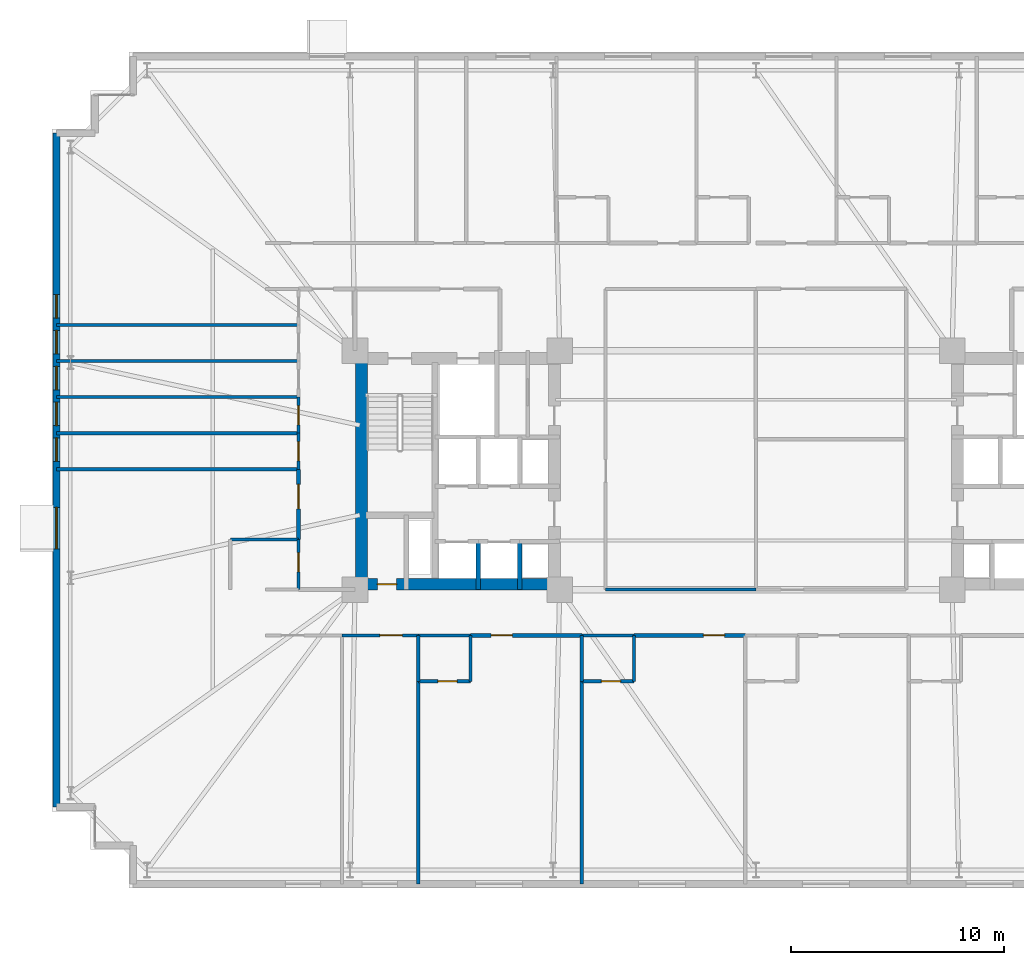
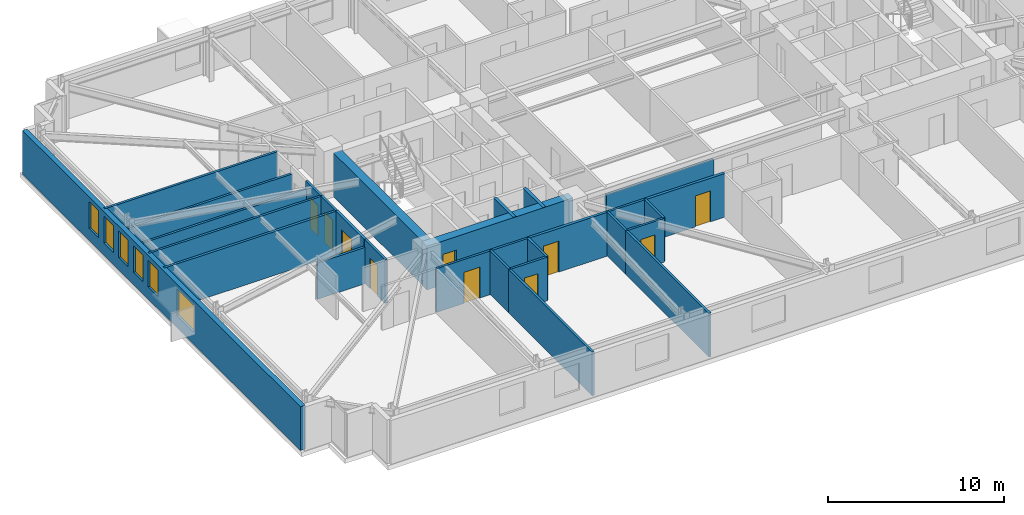
# One storey, part 14 of 21: 29 walls, 10 doors, 6 windows, 16 openings.
"""IFC4 building model written with IfcOpenShell, lengths in metres."""

from ifc_helpers import new_model, si_unit, direction, frame, frame_2d, origin, place, context, subcontext, project, spatial, rectangle, extrude, material, layer, layer_set, type_object, element, fill, save


model = new_model("IFC4")

# Units and contexts
model_context = context("Model", 3, precision=1e-05, world=origin(), true_north=direction((0.0, 1.0)))
body_context = subcontext(model_context, "Body", "Model", "MODEL_VIEW")
ifc_project = project(units=[si_unit("LENGTHUNIT", "METRE"), si_unit("AREAUNIT", "SQUARE_METRE"), si_unit("VOLUMEUNIT", "CUBIC_METRE"), si_unit("PLANEANGLEUNIT", "RADIAN"), si_unit("MASSUNIT", "GRAM", prefix="KILO")], contexts=[model_context])

# Site, building, storey
site_placement = place(None, origin())
site = spatial("IfcSite", under=ifc_project, at=site_placement, CompositionType="ELEMENT")
building_placement = place(site_placement, origin())
building = spatial("IfcBuilding", under=site, at=building_placement, Name="Qobustan Lattice House", CompositionType="ELEMENT")
storey_placement = place(building_placement, frame((0.0, 0.0, 30.35009765625)))
storey = spatial("IfcBuildingStorey", under=building, at=storey_placement, Name="L07", CompositionType="ELEMENT", Elevation=30.35009765625)

# Wall, opening, door
ifc_material_1 = material(Name="Concrete C60/75", Category="concrete")
ifc_layer_1 = layer(ifc_material_1, 0.56005859375)
ifc_layer_set_1 = layer_set([ifc_layer_1], Name="Concrete C60/75")
wall_type_1 = type_object("IfcWallType", Name="WAL-CORE-600", PredefinedType="SHEAR", material=ifc_layer_set_1)
wall_1_placement = place(storey_placement, frame((-18.800048828125, -5.35009765625, 0.0), z_axis=(0.0, 0.0, 1.0), x_axis=(1.0, 0.0, 0.0)))
wall_1 = element("IfcWall", 1, at=wall_1_placement, inside=storey, type_object=wall_type_1, Name="L07 split-core shear wall CW-S", PredefinedType="SHEAR", context=body_context, shape_type="SweptSolid", body=[
    extrude(rectangle(XDim=9.60009765625, YDim=0.56005859375, at=frame_2d((4.800048828125, 0.0))), origin(), (0.0, 0.0, 1.0), 3.034912109375),
])
opening_1_placement = place(wall_1_placement, frame((1.050048828125, 0.0, 0.0)))
opening_1 = element("IfcOpeningElement", 2, at=opening_1_placement, cuts=wall_1, Name="Opening RD-01", PredefinedType="OPENING", context=body_context, shape_type="SweptSolid", body=[
    extrude(rectangle(XDim=0.89990234375, YDim=2.10009765625, at=frame_2d((0.449951171875, 1.050048828125))), frame((0.0, 0.2900390625, 0.0), z_axis=(0.0, -1.0, 0.0), x_axis=(1.0, 0.0, 0.0)), (0.0, 0.0, 1.0), 0.580078125),
])
ifc_material_2 = material(Name="Persian walnut timber and steel frame door", Category="steel")
door_type_1 = type_object("IfcDoorType", Name="DOR-RISER-FD-900x2100", OperationType="NOTDEFINED", PredefinedType="DOOR", material=ifc_material_2)
door_1_placement = place(opening_1_placement, origin())
door_1 = element("IfcDoor", 3, at=door_1_placement, inside=storey, type_object=door_type_1, Name="L07 core service riser access door W", OperationType="SINGLE_SWING_RIGHT", OverallHeight=2.10009765625, OverallWidth=0.89990234375, PredefinedType="DOOR", context=body_context, shape_type="SweptSolid", body=[
    extrude(rectangle(XDim=0.89990234375, YDim=2.10009765625, at=frame_2d((0.449951171875, 1.050048828125))), frame((0.0, 0.02490234375, 0.0), z_axis=(0.0, -1.0, 0.0), x_axis=(1.0, 0.0, 0.0)), (0.0, 0.0, 1.0), 0.050048828125),
])
fill(opening_1, door_1)

# Wall
wall_2_placement = place(storey_placement, frame((-18.489990234375, -5.050048828125, 0.0), z_axis=(0.0, 0.0, 1.0), x_axis=(0.0, 1.0, 0.0)))
element("IfcWall", 4, at=wall_2_placement, inside=storey, type_object=wall_type_1, Name="L07 split-core shear wall CW-W", PredefinedType="SHEAR", context=body_context, shape_type="SweptSolid", body=[
    extrude(rectangle(XDim=10.10009765625, YDim=0.56005859375, at=frame_2d((5.050048828125, 0.0))), origin(), (0.0, 0.0, 1.0), 3.034912109375),
])

# Wall, openings, windows
ifc_material_3 = material(Name="Precast concrete C40/50", Category="concrete")
ifc_layer_2 = layer(ifc_material_3, 0.320068359375)
ifc_layer_set_2 = layer_set([ifc_layer_2], Name="Precast concrete C40/50")
wall_type_2 = type_object("IfcWallType", Name="WAL-EXT-STONE-320", PredefinedType="SOLIDWALL", material=ifc_layer_set_2)
wall_3_placement = place(storey_placement, frame((-32.800048828125, -15.800048828125, 0.0), z_axis=(0.0, 0.0, 1.0), x_axis=(0.0, 1.0, 0.0)))
wall_3 = element("IfcWall", 5, at=wall_3_placement, inside=storey, type_object=wall_type_2, Name="L07 exterior limestone-clad wall 5", PredefinedType="SOLIDWALL", context=body_context, shape_type="SweptSolid", body=[
    extrude(rectangle(XDim=31.60009765625, YDim=0.320068359375, at=frame_2d((15.800048828125, 0.0))), origin(), (0.0, 0.0, 1.0), 3.034912109375),
])
opening_2_placement = place(wall_3_placement, frame((12.10498046875, 0.0, 0.85009765625)))
opening_2 = element("IfcOpeningElement", 6, at=opening_2_placement, cuts=wall_3, Name="Opening WN-08", PredefinedType="OPENING", context=body_context, shape_type="SweptSolid", body=[
    extrude(rectangle(XDim=1.949951171875, YDim=1.85009765625, at=frame_2d((0.97509765625, 0.925048828125))), frame((0.0, 0.169921875, 0.0), z_axis=(0.0, -1.0, 0.0), x_axis=(1.0, 0.0, 0.0)), (0.0, 0.0, 1.0), 0.340087890625),
])
opening_3_placement = place(wall_3_placement, frame((16.2099609375, 0.0, 0.85009765625)))
opening_3 = element("IfcOpeningElement", 7, at=opening_3_placement, cuts=wall_3, Name="Opening WN-04", PredefinedType="OPENING", context=body_context, shape_type="SweptSolid", body=[
    extrude(rectangle(XDim=1.10009765625, YDim=1.85009765625, at=frame_2d((0.550048828125, 0.925048828125))), frame((0.0, 0.169921875, 0.0), z_axis=(0.0, -1.0, 0.0), x_axis=(1.0, 0.0, 0.0)), (0.0, 0.0, 1.0), 0.340087890625),
])
opening_4_placement = place(wall_3_placement, frame((17.889892578125, 0.0, 0.85009765625)))
opening_4 = element("IfcOpeningElement", 8, at=opening_4_placement, cuts=wall_3, Name="Opening WN-04", PredefinedType="OPENING", context=body_context, shape_type="SweptSolid", body=[
    extrude(rectangle(XDim=1.10009765625, YDim=1.85009765625, at=frame_2d((0.550048828125, 0.925048828125))), frame((0.0, 0.169921875, 0.0), z_axis=(0.0, -1.0, 0.0), x_axis=(1.0, 0.0, 0.0)), (0.0, 0.0, 1.0), 0.340087890625),
])
opening_5_placement = place(wall_3_placement, frame((19.570068359375, 0.0, 0.85009765625)))
opening_5 = element("IfcOpeningElement", 9, at=opening_5_placement, cuts=wall_3, Name="Opening WN-04", PredefinedType="OPENING", context=body_context, shape_type="SweptSolid", body=[
    extrude(rectangle(XDim=1.10009765625, YDim=1.85009765625, at=frame_2d((0.550048828125, 0.925048828125))), frame((0.0, 0.169921875, 0.0), z_axis=(0.0, -1.0, 0.0), x_axis=(1.0, 0.0, 0.0)), (0.0, 0.0, 1.0), 0.340087890625),
])
opening_6_placement = place(wall_3_placement, frame((21.25, 0.0, 0.85009765625)))
opening_6 = element("IfcOpeningElement", 10, at=opening_6_placement, cuts=wall_3, Name="Opening WN-04", PredefinedType="OPENING", context=body_context, shape_type="SweptSolid", body=[
    extrude(rectangle(XDim=1.10009765625, YDim=1.85009765625, at=frame_2d((0.550048828125, 0.925048828125))), frame((0.0, 0.169921875, 0.0), z_axis=(0.0, -1.0, 0.0), x_axis=(1.0, 0.0, 0.0)), (0.0, 0.0, 1.0), 0.340087890625),
])
opening_7_placement = place(wall_3_placement, frame((22.929931640625, 0.0, 0.85009765625)))
opening_7 = element("IfcOpeningElement", 11, at=opening_7_placement, cuts=wall_3, Name="Opening WN-04", PredefinedType="OPENING", context=body_context, shape_type="SweptSolid", body=[
    extrude(rectangle(XDim=1.10009765625, YDim=1.85009765625, at=frame_2d((0.550048828125, 0.925048828125))), frame((0.0, 0.169921875, 0.0), z_axis=(0.0, -1.0, 0.0), x_axis=(1.0, 0.0, 0.0)), (0.0, 0.0, 1.0), 0.340087890625),
])
ifc_material_4 = material(Name="Double-glazed low-E aluminium window", Category="aluminium")
window_type_1 = type_object("IfcWindowType", Name="WIN-KIT-1950x1850", PartitioningType="SINGLE_PANEL", PredefinedType="WINDOW", material=ifc_material_4)
window_1_placement = place(opening_2_placement, origin())
window_1 = element("IfcWindow", 12, at=window_1_placement, inside=storey, type_object=window_type_1, Name="L07 Shared kitchen L07W window", OverallHeight=1.85009765625, OverallWidth=1.949951171875, PartitioningType="SINGLE_PANEL", PredefinedType="WINDOW", context=body_context, shape_type="SweptSolid", body=[
    extrude(rectangle(XDim=1.949951171875, YDim=1.85009765625, at=frame_2d((0.97509765625, 0.925048828125))), frame((0.0, 0.030029296875, 0.0), z_axis=(0.0, -1.0, 0.0), x_axis=(1.0, 0.0, 0.0)), (0.0, 0.0, 1.0), 0.06005859375),
])
fill(opening_2, window_1)
ifc_material_5 = material(Name="Double-glazed low-E aluminium window", Category="aluminium")
window_type_2 = type_object("IfcWindowType", Name="WIN-NAR-1100x1850", PartitioningType="SINGLE_PANEL", PredefinedType="WINDOW", material=ifc_material_5)
window_2_placement = place(opening_3_placement, origin())
window_2 = element("IfcWindow", 13, at=window_2_placement, inside=storey, type_object=window_type_2, Name="L07 Cluster bedroom L07W1 window", OverallHeight=1.85009765625, OverallWidth=1.10009765625, PartitioningType="SINGLE_PANEL", PredefinedType="WINDOW", context=body_context, shape_type="SweptSolid", body=[
    extrude(rectangle(XDim=1.10009765625, YDim=1.85009765625, at=frame_2d((0.550048828125, 0.925048828125))), frame((0.0, 0.030029296875, 0.0), z_axis=(0.0, -1.0, 0.0), x_axis=(1.0, 0.0, 0.0)), (0.0, 0.0, 1.0), 0.06005859375),
])
fill(opening_3, window_2)
window_3_placement = place(opening_4_placement, origin())
window_3 = element("IfcWindow", 14, at=window_3_placement, inside=storey, type_object=window_type_2, Name="L07 Cluster bedroom L07W2 window", OverallHeight=1.85009765625, OverallWidth=1.10009765625, PartitioningType="SINGLE_PANEL", PredefinedType="WINDOW", context=body_context, shape_type="SweptSolid", body=[
    extrude(rectangle(XDim=1.10009765625, YDim=1.85009765625, at=frame_2d((0.550048828125, 0.925048828125))), frame((0.0, 0.030029296875, 0.0), z_axis=(0.0, -1.0, 0.0), x_axis=(1.0, 0.0, 0.0)), (0.0, 0.0, 1.0), 0.06005859375),
])
fill(opening_4, window_3)
window_4_placement = place(opening_5_placement, origin())
window_4 = element("IfcWindow", 15, at=window_4_placement, inside=storey, type_object=window_type_2, Name="L07 Cluster bedroom L07W3 window", OverallHeight=1.85009765625, OverallWidth=1.10009765625, PartitioningType="SINGLE_PANEL", PredefinedType="WINDOW", context=body_context, shape_type="SweptSolid", body=[
    extrude(rectangle(XDim=1.10009765625, YDim=1.85009765625, at=frame_2d((0.550048828125, 0.925048828125))), frame((0.0, 0.030029296875, 0.0), z_axis=(0.0, -1.0, 0.0), x_axis=(1.0, 0.0, 0.0)), (0.0, 0.0, 1.0), 0.06005859375),
])
fill(opening_5, window_4)
window_5_placement = place(opening_6_placement, origin())
window_5 = element("IfcWindow", 16, at=window_5_placement, inside=storey, type_object=window_type_2, Name="L07 Cluster bedroom L07W4 window", OverallHeight=1.85009765625, OverallWidth=1.10009765625, PartitioningType="SINGLE_PANEL", PredefinedType="WINDOW", context=body_context, shape_type="SweptSolid", body=[
    extrude(rectangle(XDim=1.10009765625, YDim=1.85009765625, at=frame_2d((0.550048828125, 0.925048828125))), frame((0.0, 0.030029296875, 0.0), z_axis=(0.0, -1.0, 0.0), x_axis=(1.0, 0.0, 0.0)), (0.0, 0.0, 1.0), 0.06005859375),
])
fill(opening_6, window_5)
window_6_placement = place(opening_7_placement, origin())
window_6 = element("IfcWindow", 17, at=window_6_placement, inside=storey, type_object=window_type_2, Name="L07 Cluster bedroom L07W5 window", OverallHeight=1.85009765625, OverallWidth=1.10009765625, PartitioningType="SINGLE_PANEL", PredefinedType="WINDOW", context=body_context, shape_type="SweptSolid", body=[
    extrude(rectangle(XDim=1.10009765625, YDim=1.85009765625, at=frame_2d((0.550048828125, 0.925048828125))), frame((0.0, 0.030029296875, 0.0), z_axis=(0.0, -1.0, 0.0), x_axis=(1.0, 0.0, 0.0)), (0.0, 0.0, 1.0), 0.06005859375),
])
fill(opening_7, window_6)

# Wall, opening, door
ifc_material_6 = material(Name="Gypsum fireboard acoustic partition", Category="gypsum")
ifc_layer_3 = layer(ifc_material_6, 0.179931640625)
ifc_layer_set_3 = layer_set([ifc_layer_3], Name="Gypsum fireboard acoustic partition")
wall_type_3 = type_object("IfcWallType", Name="WAL-FIRE-180", PredefinedType="PARTITIONING", material=ifc_layer_set_3)
wall_4_placement = place(storey_placement, frame((-8.1669921875, -7.75, 0.0), z_axis=(0.0, 0.0, 1.0), x_axis=(-1.0, 0.0, 0.0)))
wall_4 = element("IfcWall", 18, at=wall_4_placement, inside=storey, type_object=wall_type_3, Name="L07 interior partition 60", PredefinedType="PARTITIONING", context=body_context, shape_type="SweptSolid", body=[
    extrude(rectangle(XDim=5.216064453125, YDim=0.179931640625, at=frame_2d((2.60791015625, 0.0))), origin(), (0.0, 0.0, 1.0), 3.034912109375),
])
opening_8_placement = place(wall_4_placement, frame((3.25390625, 0.0, 0.0)))
opening_8 = element("IfcOpeningElement", 19, at=opening_8_placement, cuts=wall_4, Name="Opening FD-02", PredefinedType="OPENING", context=body_context, shape_type="SweptSolid", body=[
    extrude(rectangle(XDim=1.0, YDim=2.14990234375, at=frame_2d((0.5, 1.074951171875))), frame((0.0, 0.099853515625, 0.0), z_axis=(0.0, -1.0, 0.0), x_axis=(1.0, 0.0, 0.0)), (0.0, 0.0, 1.0), 0.199951171875),
])
ifc_material_7 = material(Name="Persian walnut timber and steel frame door", Category="steel")
door_type_2 = type_object("IfcDoorType", Name="DOR-UNIT-FD-1000x2150", OperationType="NOTDEFINED", PredefinedType="DOOR", material=ifc_material_7)
door_2_placement = place(opening_8_placement, origin())
door_2 = element("IfcDoor", 20, at=door_2_placement, inside=storey, type_object=door_type_2, Name="L07 South-west floor corridor to Kitchenette and studio apartment L07-S2 door", OperationType="SINGLE_SWING_LEFT", OverallHeight=2.14990234375, OverallWidth=1.0, PredefinedType="DOOR", context=body_context, shape_type="SweptSolid", body=[
    extrude(rectangle(XDim=1.0, YDim=2.14990234375, at=frame_2d((0.5, 1.074951171875))), frame((0.0, 0.02490234375, 0.0), z_axis=(0.0, -1.0, 0.0), x_axis=(1.0, 0.0, 0.0)), (0.0, 0.0, 1.0), 0.050048828125),
])
fill(opening_8, door_2)

wall_5_placement = place(storey_placement, frame((-0.5, -7.75, 0.0), z_axis=(0.0, 0.0, 1.0), x_axis=(-1.0, 0.0, 0.0)))
wall_5 = element("IfcWall", 21, at=wall_5_placement, inside=storey, type_object=wall_type_3, Name="L07 interior partition 62", PredefinedType="PARTITIONING", context=body_context, shape_type="SweptSolid", body=[
    extrude(rectangle(XDim=5.217041015625, YDim=0.179931640625, at=frame_2d((2.6083984375, 0.0))), origin(), (0.0, 0.0, 1.0), 3.034912109375),
])
opening_9_placement = place(wall_5_placement, frame((0.962158203125, 0.0, 0.0)))
opening_9 = element("IfcOpeningElement", 22, at=opening_9_placement, cuts=wall_5, Name="Opening FD-02", PredefinedType="OPENING", context=body_context, shape_type="SweptSolid", body=[
    extrude(rectangle(XDim=1.0, YDim=2.14990234375, at=frame_2d((0.5, 1.074951171875))), frame((0.0, 0.099853515625, 0.0), z_axis=(0.0, -1.0, 0.0), x_axis=(1.0, 0.0, 0.0)), (0.0, 0.0, 1.0), 0.199951171875),
])
door_3_placement = place(opening_9_placement, origin())
door_3 = element("IfcDoor", 23, at=door_3_placement, inside=storey, type_object=door_type_2, Name="L07 South-west floor corridor to Kitchenette and studio apartment L07-S3 door", OperationType="SINGLE_SWING_RIGHT", OverallHeight=2.14990234375, OverallWidth=1.0, PredefinedType="DOOR", context=body_context, shape_type="SweptSolid", body=[
    extrude(rectangle(XDim=1.0, YDim=2.14990234375, at=frame_2d((0.5, 1.074951171875))), frame((0.0, 0.02490234375, 0.0), z_axis=(0.0, -1.0, 0.0), x_axis=(1.0, 0.0, 0.0)), (0.0, 0.0, 1.0), 0.050048828125),
])
fill(opening_9, door_3)

ifc_material_8 = material(Name="Acoustic twin-stud gypsum partition", Category="gypsum")
ifc_layer_4 = layer(ifc_material_8, 0.14990234375)
ifc_layer_set_4 = layer_set([ifc_layer_4], Name="Acoustic twin-stud gypsum partition")
wall_type_4 = type_object("IfcWallType", Name="WAL-PART-150", PredefinedType="PARTITIONING", material=ifc_layer_set_4)
wall_6_placement = place(storey_placement, frame((-15.8330078125, -7.75, 0.0), z_axis=(0.0, 0.0, 1.0), x_axis=(-1.0, 0.0, 0.0)))
wall_6 = element("IfcWall", 24, at=wall_6_placement, inside=storey, type_object=wall_type_4, Name="L07 interior partition 59", PredefinedType="PARTITIONING", context=body_context, shape_type="SweptSolid", body=[
    extrude(rectangle(XDim=3.58349609375, YDim=0.14990234375, at=frame_2d((1.791748046875, 0.0))), origin(), (0.0, 0.0, 1.0), 3.034912109375),
])
opening_10_placement = place(wall_6_placement, frame((0.751708984375, 0.0, 0.0)))
opening_10 = element("IfcOpeningElement", 25, at=opening_10_placement, cuts=wall_6, Name="Opening ID-02", PredefinedType="OPENING", context=body_context, shape_type="SweptSolid", body=[
    extrude(rectangle(XDim=1.050048828125, YDim=2.14990234375, at=frame_2d((0.52490234375, 1.074951171875))), frame((0.0, 0.0849609375, 0.0), z_axis=(0.0, -1.0, 0.0), x_axis=(1.0, 0.0, 0.0)), (0.0, 0.0, 1.0), 0.169921875),
])
ifc_material_9 = material(Name="Persian walnut timber and steel frame door", Category="steel")
door_type_3 = type_object("IfcDoorType", Name="DOR-STUDY-1050x2150", OperationType="NOTDEFINED", PredefinedType="DOOR", material=ifc_material_9)
door_4_placement = place(opening_10_placement, origin())
door_4 = element("IfcDoor", 26, at=door_4_placement, inside=storey, type_object=door_type_3, Name="L07 South-west floor corridor to Focus study room S1B door", OperationType="SINGLE_SWING_RIGHT", OverallHeight=2.14990234375, OverallWidth=1.050048828125, PredefinedType="DOOR", context=body_context, shape_type="SweptSolid", body=[
    extrude(rectangle(XDim=1.050048828125, YDim=2.14990234375, at=frame_2d((0.52490234375, 1.074951171875))), frame((0.0, 0.02490234375, 0.0), z_axis=(0.0, -1.0, 0.0), x_axis=(1.0, 0.0, 0.0)), (0.0, 0.0, 1.0), 0.050048828125),
])
fill(opening_10, door_4)

# Wall
wall_7_placement = place(storey_placement, frame((-7.050048828125, -5.60009765625, 0.0), z_axis=(0.0, 0.0, 1.0), x_axis=(1.0, 0.0, 0.0)))
element("IfcWall", 27, at=wall_7_placement, inside=storey, type_object=wall_type_4, Name="L07 interior partition 65", PredefinedType="PARTITIONING", context=body_context, shape_type="SweptSolid", body=[
    extrude(rectangle(XDim=7.050048828125, YDim=0.14990234375, at=frame_2d((3.52490234375, 0.0))), origin(), (0.0, 0.0, 1.0), 2.52001953125),
])

# Wall, opening, door
wall_8_placement = place(storey_placement, frame((-21.449951171875, 0.0400390625, 0.0), z_axis=(0.0, 0.0, 1.0), x_axis=(0.0, 1.0, 0.0)))
wall_8 = element("IfcWall", 28, at=wall_8_placement, inside=storey, type_object=wall_type_4, Name="L07 interior partition 80", PredefinedType="PARTITIONING", context=body_context, shape_type="SweptSolid", body=[
    extrude(rectangle(XDim=1.69189453125, YDim=0.14990234375, at=frame_2d((0.845947265625, 0.0))), origin(), (0.0, 0.0, 1.0), 3.034912109375),
])
opening_11_placement = place(wall_8_placement, frame((0.39599609375, 0.0, 0.0)))
opening_11 = element("IfcOpeningElement", 29, at=opening_11_placement, cuts=wall_8, Name="Opening WD-01", PredefinedType="OPENING", context=body_context, shape_type="SweptSolid", body=[
    extrude(rectangle(XDim=0.89990234375, YDim=2.10009765625, at=frame_2d((0.449951171875, 1.050048828125))), frame((0.0, 0.0849609375, 0.0), z_axis=(0.0, -1.0, 0.0), x_axis=(1.0, 0.0, 0.0)), (0.0, 0.0, 1.0), 0.169921875),
])
ifc_material_10 = material(Name="Persian walnut timber and steel frame door", Category="steel")
door_type_4 = type_object("IfcDoorType", Name="DOR-WET-900x2100", OperationType="NOTDEFINED", PredefinedType="DOOR", material=ifc_material_10)
door_5_placement = place(opening_11_placement, origin())
door_5 = element("IfcDoor", 30, at=door_5_placement, inside=storey, type_object=door_type_4, Name="L07 Residence entrance hall L07W to Cluster bedroom L07W1 door", OperationType="SINGLE_SWING_LEFT", OverallHeight=2.10009765625, OverallWidth=0.89990234375, PredefinedType="DOOR", context=body_context, shape_type="SweptSolid", body=[
    extrude(rectangle(XDim=0.89990234375, YDim=2.10009765625, at=frame_2d((0.449951171875, 1.050048828125))), frame((0.0, 0.02490234375, 0.0), z_axis=(0.0, -1.0, 0.0), x_axis=(1.0, 0.0, 0.0)), (0.0, 0.0, 1.0), 0.050048828125),
])
fill(opening_11, door_5)

wall_9_placement = place(storey_placement, frame((-21.449951171875, 1.73193359375, 0.0), z_axis=(0.0, 0.0, 1.0), x_axis=(0.0, 1.0, 0.0)))
wall_9 = element("IfcWall", 31, at=wall_9_placement, inside=storey, type_object=wall_type_4, Name="L07 interior partition 81", PredefinedType="PARTITIONING", context=body_context, shape_type="SweptSolid", body=[
    extrude(rectangle(XDim=1.692138671875, YDim=0.14990234375, at=frame_2d((0.84619140625, 0.0))), origin(), (0.0, 0.0, 1.0), 3.034912109375),
])
opening_12_placement = place(wall_9_placement, frame((0.39599609375, 0.0, 0.0)))
opening_12 = element("IfcOpeningElement", 32, at=opening_12_placement, cuts=wall_9, Name="Opening WD-01", PredefinedType="OPENING", context=body_context, shape_type="SweptSolid", body=[
    extrude(rectangle(XDim=0.89990234375, YDim=2.10009765625, at=frame_2d((0.449951171875, 1.050048828125))), frame((0.0, 0.0849609375, 0.0), z_axis=(0.0, -1.0, 0.0), x_axis=(1.0, 0.0, 0.0)), (0.0, 0.0, 1.0), 0.169921875),
])
door_6_placement = place(opening_12_placement, origin())
door_6 = element("IfcDoor", 33, at=door_6_placement, inside=storey, type_object=door_type_4, Name="L07 Residence entrance hall L07W to Cluster bedroom L07W2 door", OperationType="SINGLE_SWING_RIGHT", OverallHeight=2.10009765625, OverallWidth=0.89990234375, PredefinedType="DOOR", context=body_context, shape_type="SweptSolid", body=[
    extrude(rectangle(XDim=0.89990234375, YDim=2.10009765625, at=frame_2d((0.449951171875, 1.050048828125))), frame((0.0, 0.02490234375, 0.0), z_axis=(0.0, -1.0, 0.0), x_axis=(1.0, 0.0, 0.0)), (0.0, 0.0, 1.0), 0.050048828125),
])
fill(opening_12, door_6)

# Walls
wall_10_placement = place(storey_placement, frame((-32.800048828125, 1.73193359375, 0.0), z_axis=(0.0, 0.0, 1.0), x_axis=(1.0, 0.0, 0.0)))
element("IfcWall", 34, at=wall_10_placement, inside=storey, type_object=wall_type_4, Name="L07 interior partition 88", PredefinedType="PARTITIONING", context=body_context, shape_type="SweptSolid", body=[
    extrude(rectangle(XDim=11.35009765625, YDim=0.14990234375, at=frame_2d((5.675048828125, 0.0))), origin(), (0.0, 0.0, 1.0), 3.034912109375),
])
for number, where, z_axis, x_axis, name in (
    (35, (-32.800048828125, 3.424072265625, 0.0), (0.0, 0.0, 1.0), (1.0, 0.0, 0.0), "L07 interior partition 89"),
    (36, (-32.800048828125, 5.115966796875, 0.0), (0.0, 0.0, 1.0), (1.0, 0.0, 0.0), "L07 interior partition 90"),
):
    element("IfcWall", number, at=place(storey_placement, frame(where, z_axis=z_axis, x_axis=x_axis)), inside=storey, type_object=wall_type_4, Name=name, PredefinedType="PARTITIONING", context=body_context, shape_type="SweptSolid", body=[
        extrude(rectangle(XDim=11.35009765625, YDim=0.14990234375, at=frame_2d((5.675048828125, 0.0))), origin(), (0.0, 0.0, 1.0), 2.52001953125),
    ])
wall_11_placement = place(storey_placement, frame((-32.800048828125, 6.80810546875, 0.0), z_axis=(0.0, 0.0, 1.0), x_axis=(1.0, 0.0, 0.0)))
element("IfcWall", 37, at=wall_11_placement, inside=storey, type_object=wall_type_4, Name="L07 interior partition 91", PredefinedType="PARTITIONING", context=body_context, shape_type="SweptSolid", body=[
    extrude(rectangle(XDim=11.35009765625, YDim=0.14990234375, at=frame_2d((5.675048828125, 0.0))), origin(), (0.0, 0.0, 1.0), 3.034912109375),
])
for number, where, z_axis, x_axis, name in (
    (38, (-15.8330078125, -9.89990234375, 0.0), (0.0, 0.0, 1.0), (0.0, -1.0, 0.0), "L07 interior partition 126"),
    (39, (-8.1669921875, -9.89990234375, 0.0), (0.0, 0.0, 1.0), (0.0, -1.0, 0.0), "L07 interior partition 130"),
):
    element("IfcWall", number, at=place(storey_placement, frame(where, z_axis=z_axis, x_axis=x_axis)), inside=storey, type_object=wall_type_4, Name=name, PredefinedType="PARTITIONING", context=body_context, shape_type="SweptSolid", body=[
        extrude(rectangle(XDim=9.5, YDim=0.14990234375, at=frame_2d((4.75, 0.0))), origin(), (0.0, 0.0, 1.0), 3.034912109375),
    ])

# Wall, opening, door
ifc_material_11 = material(Name="High-mass acoustic twin-stud partition", Category="gypsum")
ifc_layer_5 = layer(ifc_material_11, 0.1650390625)
ifc_layer_set_5 = layer_set([ifc_layer_5], Name="High-mass acoustic twin-stud partition")
wall_type_5 = type_object("IfcWallType", Name="WAL-PART-165", PredefinedType="PARTITIONING", material=ifc_layer_set_5)
wall_12_placement = place(storey_placement, frame((-21.449951171875, -3.25, 0.0), z_axis=(0.0, 0.0, 1.0), x_axis=(0.0, 1.0, 0.0)))
wall_12 = element("IfcWall", 40, at=wall_12_placement, inside=storey, type_object=wall_type_5, Name="L07 interior partition 79", PredefinedType="PARTITIONING", context=body_context, shape_type="SweptSolid", body=[
    extrude(rectangle(XDim=3.2900390625, YDim=0.1650390625, at=frame_2d((1.64501953125, 0.0))), origin(), (0.0, 0.0, 1.0), 3.034912109375),
])
opening_13_placement = place(wall_12_placement, frame((1.4375, 0.0, 0.0)))
opening_13 = element("IfcOpeningElement", 41, at=opening_13_placement, cuts=wall_12, Name="Opening ID-03", PredefinedType="OPENING", context=body_context, shape_type="SweptSolid", body=[
    extrude(rectangle(XDim=1.14990234375, YDim=2.14990234375, at=frame_2d((0.574951171875, 1.074951171875))), frame((0.0, 0.092529296875, 0.0), z_axis=(0.0, -1.0, 0.0), x_axis=(1.0, 0.0, 0.0)), (0.0, 0.0, 1.0), 0.18505859375),
])
ifc_material_12 = material(Name="Persian walnut timber and steel frame door", Category="steel")
door_type_5 = type_object("IfcDoorType", Name="DOR-KITCH-1150x2150", OperationType="NOTDEFINED", PredefinedType="DOOR", material=ifc_material_12)
door_7_placement = place(opening_13_placement, origin())
door_7 = element("IfcDoor", 42, at=door_7_placement, inside=storey, type_object=door_type_5, Name="L07 Residence entrance hall L07W to Shared kitchen L07W door", OperationType="SINGLE_SWING_RIGHT", OverallHeight=2.14990234375, OverallWidth=1.14990234375, PredefinedType="DOOR", context=body_context, shape_type="SweptSolid", body=[
    extrude(rectangle(XDim=1.14990234375, YDim=2.14990234375, at=frame_2d((0.574951171875, 1.074951171875))), frame((0.0, 0.02490234375, 0.0), z_axis=(0.0, -1.0, 0.0), x_axis=(1.0, 0.0, 0.0)), (0.0, 0.0, 1.0), 0.050048828125),
])
fill(opening_13, door_7)

# Walls
wall_13_placement = place(storey_placement, frame((-32.800048828125, 0.0400390625, 0.0), z_axis=(0.0, 0.0, 1.0), x_axis=(1.0, 0.0, 0.0)))
element("IfcWall", 43, at=wall_13_placement, inside=storey, type_object=wall_type_5, Name="L07 interior partition 87", PredefinedType="PARTITIONING", context=body_context, shape_type="SweptSolid", body=[
    extrude(rectangle(XDim=11.35009765625, YDim=0.1650390625, at=frame_2d((5.675048828125, 0.0))), origin(), (0.0, 0.0, 1.0), 3.034912109375),
])
ifc_material_13 = material(Name="Concrete C40/50", Category="concrete")
ifc_layer_6 = layer(ifc_material_13, 0.199951171875)
ifc_layer_set_6 = layer_set([ifc_layer_6], Name="Concrete C40/50")
wall_type_6 = type_object("IfcWallType", Name="WAL-SHAFT-200", PredefinedType="PARTITIONING", material=ifc_layer_set_6)
for number, where, z_axis, x_axis, name in (
    (44, (-13.02001953125, -5.60009765625, 0.0), (0.0, 0.0, 1.0), (0.0, 1.0, 0.0), "L07 interior partition 15"),
    (45, (-11.080078125, -5.60009765625, 0.0), (0.0, 0.0, 1.0), (0.0, 1.0, 0.0), "L07 interior partition 16"),
):
    element("IfcWall", number, at=place(storey_placement, frame(where, z_axis=z_axis, x_axis=x_axis)), inside=storey, type_object=wall_type_6, Name=name, PredefinedType="PARTITIONING", context=body_context, shape_type="SweptSolid", body=[
        extrude(rectangle(XDim=2.25, YDim=0.199951171875, at=frame_2d((1.125, 0.0))), origin(), (0.0, 0.0, 1.0), 3.034912109375),
    ])
ifc_material_14 = material(Name="Moisture-resistant acoustic plumbing wall", Category="gypsum")
ifc_layer_7 = layer(ifc_material_14, 0.14990234375)
ifc_layer_set_7 = layer_set([ifc_layer_7], Name="Moisture-resistant acoustic plumbing wall")
wall_type_7 = type_object("IfcWallType", Name="WAL-WET-150", PredefinedType="PLUMBINGWALL", material=ifc_layer_set_7)
for number, where, z_axis, x_axis, name in (
    (46, (-13.383056640625, -7.75, 0.0), (0.0, 0.0, 1.0), (-1.0, 0.0, 0.0), "L07 interior partition 61"),
    (47, (-5.717041015625, -7.75, 0.0), (0.0, 0.0, 1.0), (-1.0, 0.0, 0.0), "L07 interior partition 63"),
):
    element("IfcWall", number, at=place(storey_placement, frame(where, z_axis=z_axis, x_axis=x_axis)), inside=storey, type_object=wall_type_7, Name=name, PredefinedType="PLUMBINGWALL", context=body_context, shape_type="SweptSolid", body=[
        extrude(rectangle(XDim=2.449951171875, YDim=0.14990234375, at=frame_2d((1.22509765625, 0.0))), origin(), (0.0, 0.0, 1.0), 3.034912109375),
    ])

# Wall, opening, door
wall_14_placement = place(storey_placement, frame((-21.449951171875, -5.60009765625, 0.0), z_axis=(0.0, 0.0, 1.0), x_axis=(0.0, 1.0, 0.0)))
wall_14 = element("IfcWall", 48, at=wall_14_placement, inside=storey, type_object=wall_type_7, Name="L07 interior partition 78", PredefinedType="PLUMBINGWALL", context=body_context, shape_type="SweptSolid", body=[
    extrude(rectangle(XDim=2.35009765625, YDim=0.14990234375, at=frame_2d((1.175048828125, 0.0))), origin(), (0.0, 0.0, 1.0), 3.034912109375),
])
opening_14_placement = place(wall_14_placement, frame((0.833740234375, 0.0, 0.0)))
opening_14 = element("IfcOpeningElement", 49, at=opening_14_placement, cuts=wall_14, Name="Opening WD-01", PredefinedType="OPENING", context=body_context, shape_type="SweptSolid", body=[
    extrude(rectangle(XDim=0.89990234375, YDim=2.10009765625, at=frame_2d((0.449951171875, 1.050048828125))), frame((0.0, 0.0849609375, 0.0), z_axis=(0.0, -1.0, 0.0), x_axis=(1.0, 0.0, 0.0)), (0.0, 0.0, 1.0), 0.169921875),
])
door_8_placement = place(opening_14_placement, origin())
door_8 = element("IfcDoor", 50, at=door_8_placement, inside=storey, type_object=door_type_4, Name="L07 Residence entrance hall L07W to Shared bathroom L07W door", OperationType="SINGLE_SWING_LEFT", OverallHeight=2.10009765625, OverallWidth=0.89990234375, PredefinedType="DOOR", context=body_context, shape_type="SweptSolid", body=[
    extrude(rectangle(XDim=0.89990234375, YDim=2.10009765625, at=frame_2d((0.449951171875, 1.050048828125))), frame((0.0, 0.02490234375, 0.0), z_axis=(0.0, -1.0, 0.0), x_axis=(1.0, 0.0, 0.0)), (0.0, 0.0, 1.0), 0.050048828125),
])
fill(opening_14, door_8)

# Walls
wall_15_placement = place(storey_placement, frame((-24.64990234375, -3.25, 0.0), z_axis=(0.0, 0.0, 1.0), x_axis=(1.0, 0.0, 0.0)))
element("IfcWall", 51, at=wall_15_placement, inside=storey, type_object=wall_type_7, Name="L07 interior partition 85", PredefinedType="PLUMBINGWALL", context=body_context, shape_type="SweptSolid", body=[
    extrude(rectangle(XDim=3.199951171875, YDim=0.14990234375, at=frame_2d((1.60009765625, 0.0))), origin(), (0.0, 0.0, 1.0), 2.52001953125),
])
wall_16_placement = place(storey_placement, frame((-15.8330078125, -7.75, 0.0), z_axis=(0.0, 0.0, 1.0), x_axis=(0.0, -1.0, 0.0)))
element("IfcWall", 52, at=wall_16_placement, inside=storey, type_object=wall_type_7, Name="L07 interior partition 127", PredefinedType="PLUMBINGWALL", context=body_context, shape_type="SweptSolid", body=[
    extrude(rectangle(XDim=2.14990234375, YDim=0.14990234375, at=frame_2d((1.074951171875, 0.0))), origin(), (0.0, 0.0, 1.0), 3.034912109375),
])

# Wall, opening, door
wall_17_placement = place(storey_placement, frame((-15.8330078125, -9.89990234375, 0.0), z_axis=(0.0, 0.0, 1.0), x_axis=(1.0, 0.0, 0.0)))
wall_17 = element("IfcWall", 53, at=wall_17_placement, inside=storey, type_object=wall_type_7, Name="L07 interior partition 128", PredefinedType="PLUMBINGWALL", context=body_context, shape_type="SweptSolid", body=[
    extrude(rectangle(XDim=2.449951171875, YDim=0.14990234375, at=frame_2d((1.22509765625, 0.0))), origin(), (0.0, 0.0, 1.0), 3.034912109375),
])
opening_15_placement = place(wall_17_placement, frame((0.92138671875, 0.0, 0.0)))
opening_15 = element("IfcOpeningElement", 54, at=opening_15_placement, cuts=wall_17, Name="Opening WD-01", PredefinedType="OPENING", context=body_context, shape_type="SweptSolid", body=[
    extrude(rectangle(XDim=0.89990234375, YDim=2.10009765625, at=frame_2d((0.449951171875, 1.050048828125))), frame((0.0, 0.0849609375, 0.0), z_axis=(0.0, -1.0, 0.0), x_axis=(1.0, 0.0, 0.0)), (0.0, 0.0, 1.0), 0.169921875),
])
door_9_placement = place(opening_15_placement, origin())
door_9 = element("IfcDoor", 55, at=door_9_placement, inside=storey, type_object=door_type_4, Name="L07 Kitchenette and studio apartment L07-S2 to En-suite bathroom L07-S2 door", OperationType="SINGLE_SWING_LEFT", OverallHeight=2.10009765625, OverallWidth=0.89990234375, PredefinedType="DOOR", context=body_context, shape_type="SweptSolid", body=[
    extrude(rectangle(XDim=0.89990234375, YDim=2.10009765625, at=frame_2d((0.449951171875, 1.050048828125))), frame((0.0, 0.02490234375, 0.0), z_axis=(0.0, -1.0, 0.0), x_axis=(1.0, 0.0, 0.0)), (0.0, 0.0, 1.0), 0.050048828125),
])
fill(opening_15, door_9)

# Walls
for number, where, z_axis, x_axis, name in (
    (56, (-13.383056640625, -9.89990234375, 0.0), (0.0, 0.0, 1.0), (0.0, 1.0, 0.0), "L07 interior partition 129"),
    (57, (-8.1669921875, -7.75, 0.0), (0.0, 0.0, 1.0), (0.0, -1.0, 0.0), "L07 interior partition 131"),
):
    element("IfcWall", number, at=place(storey_placement, frame(where, z_axis=z_axis, x_axis=x_axis)), inside=storey, type_object=wall_type_7, Name=name, PredefinedType="PLUMBINGWALL", context=body_context, shape_type="SweptSolid", body=[
        extrude(rectangle(XDim=2.14990234375, YDim=0.14990234375, at=frame_2d((1.074951171875, 0.0))), origin(), (0.0, 0.0, 1.0), 3.034912109375),
    ])

# Wall, opening, door
wall_18_placement = place(storey_placement, frame((-8.1669921875, -9.89990234375, 0.0), z_axis=(0.0, 0.0, 1.0), x_axis=(1.0, 0.0, 0.0)))
wall_18 = element("IfcWall", 58, at=wall_18_placement, inside=storey, type_object=wall_type_7, Name="L07 interior partition 132", PredefinedType="PLUMBINGWALL", context=body_context, shape_type="SweptSolid", body=[
    extrude(rectangle(XDim=2.449951171875, YDim=0.14990234375, at=frame_2d((1.22509765625, 0.0))), origin(), (0.0, 0.0, 1.0), 3.034912109375),
])
opening_16_placement = place(wall_18_placement, frame((0.92138671875, 0.0, 0.0)))
opening_16 = element("IfcOpeningElement", 59, at=opening_16_placement, cuts=wall_18, Name="Opening WD-01", PredefinedType="OPENING", context=body_context, shape_type="SweptSolid", body=[
    extrude(rectangle(XDim=0.89990234375, YDim=2.10009765625, at=frame_2d((0.449951171875, 1.050048828125))), frame((0.0, 0.0849609375, 0.0), z_axis=(0.0, -1.0, 0.0), x_axis=(1.0, 0.0, 0.0)), (0.0, 0.0, 1.0), 0.169921875),
])
door_10_placement = place(opening_16_placement, origin())
door_10 = element("IfcDoor", 60, at=door_10_placement, inside=storey, type_object=door_type_4, Name="L07 Kitchenette and studio apartment L07-S3 to En-suite bathroom L07-S3 door", OperationType="SINGLE_SWING_RIGHT", OverallHeight=2.10009765625, OverallWidth=0.89990234375, PredefinedType="DOOR", context=body_context, shape_type="SweptSolid", body=[
    extrude(rectangle(XDim=0.89990234375, YDim=2.10009765625, at=frame_2d((0.449951171875, 1.050048828125))), frame((0.0, 0.02490234375, 0.0), z_axis=(0.0, -1.0, 0.0), x_axis=(1.0, 0.0, 0.0)), (0.0, 0.0, 1.0), 0.050048828125),
])
fill(opening_16, door_10)

# Wall
wall_19_placement = place(storey_placement, frame((-5.717041015625, -9.89990234375, 0.0), z_axis=(0.0, 0.0, 1.0), x_axis=(0.0, 1.0, 0.0)))
element("IfcWall", 61, at=wall_19_placement, inside=storey, type_object=wall_type_7, Name="L07 interior partition 133", PredefinedType="PLUMBINGWALL", context=body_context, shape_type="SweptSolid", body=[
    extrude(rectangle(XDim=2.14990234375, YDim=0.14990234375, at=frame_2d((1.074951171875, 0.0))), origin(), (0.0, 0.0, 1.0), 3.034912109375),
])

save(model, "model.ifc")
